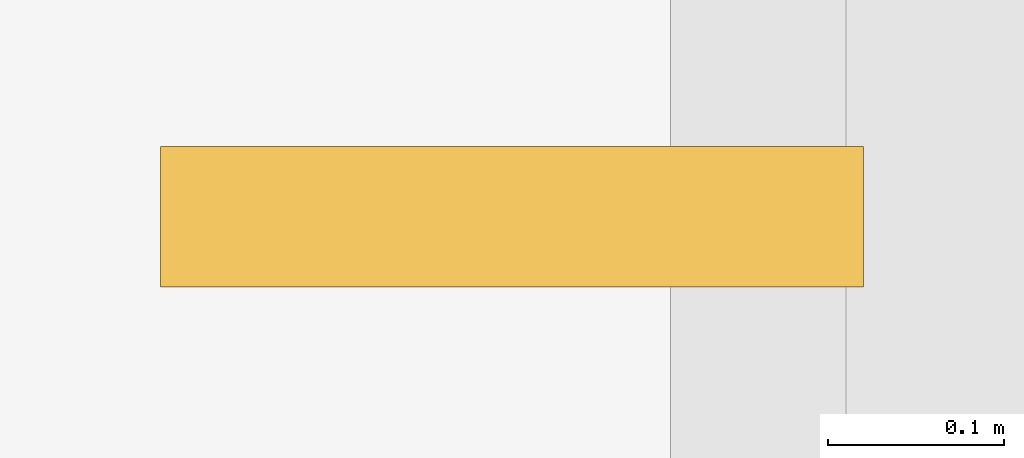
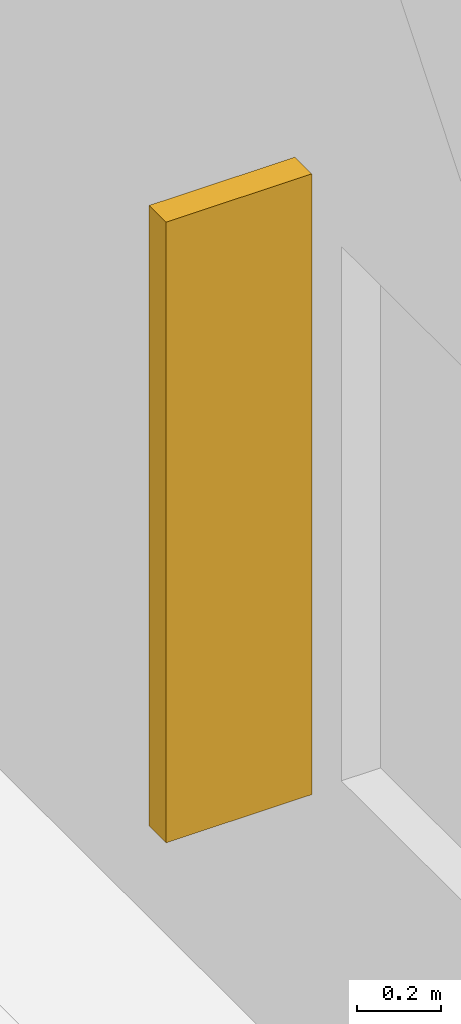
# One storey, part 131 of 138: 1 shading device.
"""IFC4 building model written with IfcOpenShell, lengths in metres."""

from ifc_helpers import new_model, si_unit, direction, frame, origin, origin_2d, place, context, subcontext, project, spatial, rectangle, extrude, material, type_object, element, save


model = new_model("IFC4")

# Units and contexts
model_context = context("Model", 3, precision=1e-05, world=origin(), true_north=direction((0.0, 1.0)))
body_context = subcontext(model_context, "Body", "Model", "MODEL_VIEW")
ifc_project = project(units=[si_unit("LENGTHUNIT", "METRE"), si_unit("AREAUNIT", "SQUARE_METRE"), si_unit("VOLUMEUNIT", "CUBIC_METRE"), si_unit("PLANEANGLEUNIT", "RADIAN"), si_unit("MASSUNIT", "GRAM", prefix="KILO")], contexts=[model_context])

# Site, building, storey
site_placement = place(None, origin())
site = spatial("IfcSite", under=ifc_project, at=site_placement, CompositionType="ELEMENT")
building_placement = place(site_placement, origin())
building = spatial("IfcBuilding", under=site, at=building_placement, Name="Fikremerkos Civic Library", CompositionType="ELEMENT")
storey_placement = place(building_placement, origin())
storey = spatial("IfcBuildingStorey", under=building, at=storey_placement, Name="L00", CompositionType="ELEMENT", Elevation=0.0)

# Shading device
ifc_material = material(Name="Bronze anodized aluminium", Category="aluminium")
shading_device_type = type_object("IfcShadingDeviceType", Name="Perforated bronze vertical solar fin SHD-02", PredefinedType="USERDEFINED", material=ifc_material)
shading_device_placement = place(storey_placement, frame((9.260009765625, 68.29248046875, 0.8251953125), z_axis=(0.0, 0.0, 1.0), x_axis=(0.0, 1.0, 0.0)))
element("IfcShadingDevice", 1, at=shading_device_placement, inside=storey, type_object=shading_device_type, Name="Vertical bronze solar fin SHD-02 L00 #4", ObjectType="SOLAR FIN", PredefinedType="USERDEFINED", context=body_context, shape_type="SweptSolid", body=[
    extrude(rectangle(XDim=0.080078125, YDim=0.39990234375, at=origin_2d()), origin(), (0.0, 0.0, 1.0), 1.800048828125),
])

save(model, "model.ifc")
